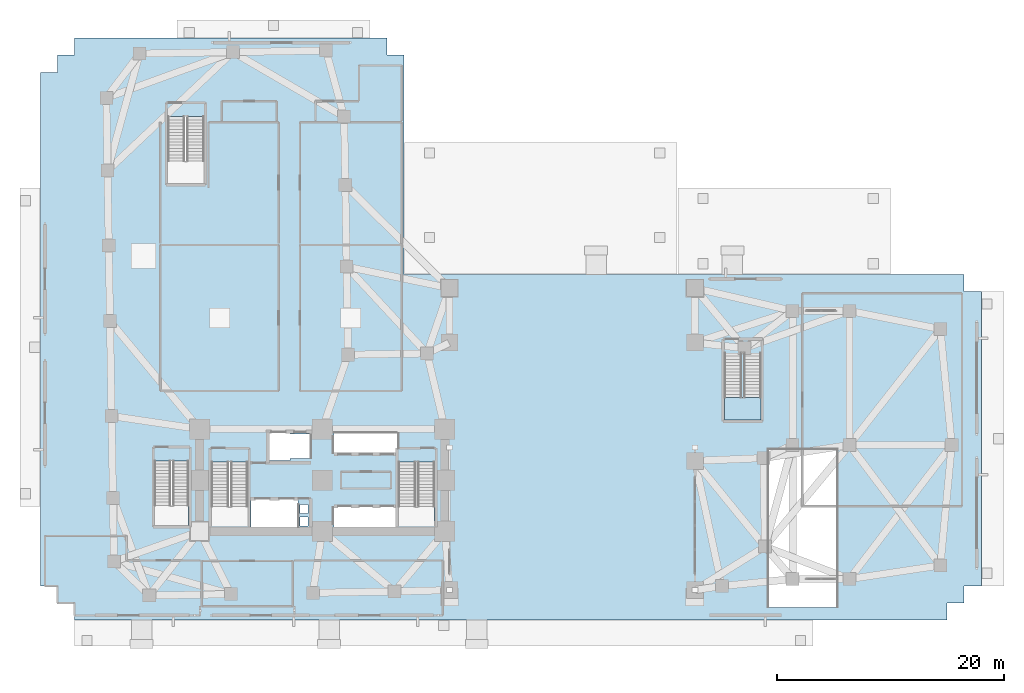
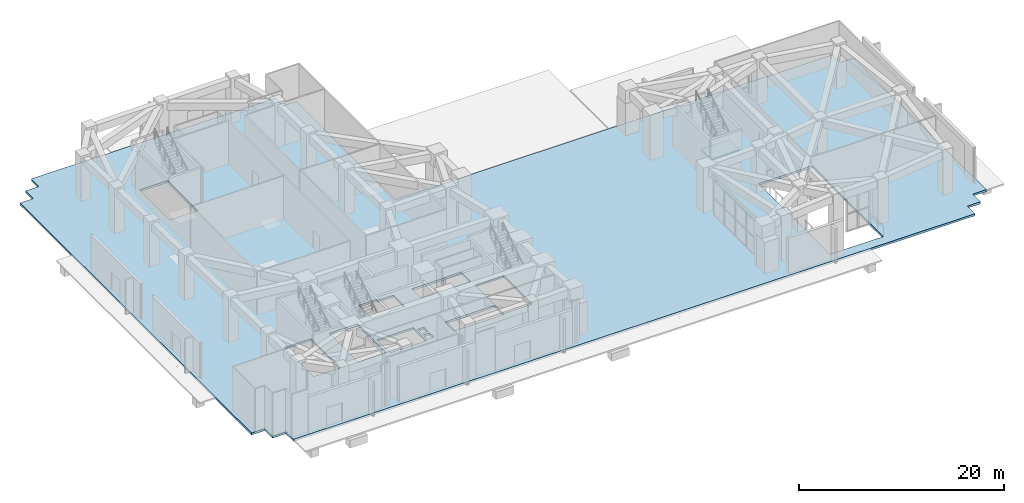
# One storey, part 7 of 19: 2 slabs, 1 element without a shape of its own.
"""IFC4 building model written with IfcOpenShell, lengths in metres."""

from ifc_helpers import new_model, si_unit, direction, frame, origin, place, context, subcontext, project, spatial, polyline, outline, extrude, material, layer, layer_set, type_object, element, aggregate, save


model = new_model("IFC4")

# Units and contexts
model_context = context("Model", 3, precision=1e-05, world=origin(), true_north=direction((0.0, 1.0)))
body_context = subcontext(model_context, "Body", "Model", "MODEL_VIEW")
ifc_project = project(units=[si_unit("LENGTHUNIT", "METRE"), si_unit("AREAUNIT", "SQUARE_METRE"), si_unit("VOLUMEUNIT", "CUBIC_METRE"), si_unit("PLANEANGLEUNIT", "RADIAN"), si_unit("MASSUNIT", "GRAM", prefix="KILO")], contexts=[model_context])

# Site, building, storey
site_placement = place(None, origin())
site = spatial("IfcSite", under=ifc_project, at=site_placement, CompositionType="ELEMENT")
building_placement = place(site_placement, origin())
building = spatial("IfcBuilding", under=site, at=building_placement, Name="Gaonmaruhae Medical Tower", CompositionType="ELEMENT")
storey_placement = place(building_placement, origin())
storey = spatial("IfcBuildingStorey", under=building, at=storey_placement, Name="L00", CompositionType="ELEMENT", Elevation=0.0)

# Slab
ifc_material = material(Name="Concrete C40/50", Category="concrete")
ifc_layer_1 = layer(ifc_material, 0.25)
ifc_layer_set_1 = layer_set([ifc_layer_1], Name="Concrete C40/50")
slab_type_1 = type_object("IfcSlabType", Name="FS-250 Podium & Basement Floor Slab", PredefinedType="FLOOR", material=ifc_layer_set_1)
slab_1_placement = place(storey_placement, frame((0.0, 0.0, -0.25)))
element("IfcSlab", 1, at=slab_1_placement, inside=storey, type_object=slab_type_1, Name="L00 Structural Slab 1", PredefinedType="FLOOR", context=body_context, shape_type="SweptSolid", body=[
    extrude(outline(polyline([(3.0, 0.0), (79.800048828125, 0.0), (79.800048828125, 1.5), (81.300048828125, 1.5), (81.300048828125, 3.0), (82.800048828125, 3.0), (82.800048828125, 28.89990234375), (81.300048828125, 28.89990234375), (81.300048828125, 30.39990234375), (32.0, 30.39990234375), (32.0, 49.699951171875), (30.5, 49.699951171875), (30.5, 51.199951171875), (3.0, 51.199951171875), (3.0, 49.699951171875), (1.5, 49.699951171875), (1.5, 48.199951171875), (0.0, 48.199951171875), (0.0, 3.0), (1.5, 3.0), (1.5, 1.5), (3.0, 1.5), (3.0, 0.0)]), holes=[polyline([(23.550048828125, 8.25), (22.85009765625, 8.25), (22.85009765625, 9.050048828125), (23.550048828125, 9.050048828125), (23.550048828125, 8.25)]), polyline([(22.64990234375, 10.625), (22.64990234375, 8.074951171875), (18.550048828125, 8.074951171875), (18.550048828125, 10.625), (22.64990234375, 10.625)]), polyline([(15.050048828125, 13.889892578125), (18.25, 13.889892578125), (18.25, 8.300048828125), (15.050048828125, 8.300048828125), (15.050048828125, 13.889892578125)]), polyline([(13.050048828125, 13.989990234375), (13.050048828125, 8.300048828125), (10.050048828125, 8.300048828125), (10.050048828125, 13.989990234375), (13.050048828125, 13.989990234375)]), polyline([(21.949951171875, 14.02490234375), (19.949951171875, 14.02490234375), (19.949951171875, 16.574951171875), (21.949951171875, 16.574951171875), (21.949951171875, 16.375), (23.72509765625, 16.375), (23.72509765625, 14.22509765625), (21.949951171875, 14.22509765625), (21.949951171875, 14.02490234375)]), polyline([(11.199951171875, 44.2900390625), (14.39990234375, 44.2900390625), (14.39990234375, 38.39990234375), (11.199951171875, 38.39990234375), (11.199951171875, 44.2900390625)]), polyline([(64.10009765625, 1.110107421875), (64.10009765625, 15.0), (70.10009765625, 15.0), (70.10009765625, 1.110107421875), (64.10009765625, 1.110107421875)]), polyline([(31.425048828125, 9.925048828125), (31.425048828125, 8.175048828125), (25.824951171875, 8.175048828125), (25.824951171875, 9.925048828125), (31.425048828125, 9.925048828125)]), polyline([(23.550048828125, 9.35009765625), (22.85009765625, 9.35009765625), (22.85009765625, 10.14990234375), (23.550048828125, 10.14990234375), (23.550048828125, 9.35009765625)]), polyline([(34.699951171875, 13.889892578125), (34.699951171875, 8.300048828125), (31.5, 8.300048828125), (31.5, 13.889892578125), (34.699951171875, 13.889892578125)]), polyline([(31.425048828125, 16.425048828125), (31.425048828125, 14.675048828125), (25.824951171875, 14.675048828125), (25.824951171875, 16.425048828125), (31.425048828125, 16.425048828125)])]), origin(), (0.0, 0.0, 1.0), 0.25),
])

# Stair, slab
stair_type = type_object("IfcStairType", Name="ST-T3 Podium Escape Dogleg Stair", PredefinedType="TWO_QUARTER_TURN_STAIR", material=ifc_material)
stair_placement = place(storey_placement, origin())
stair = element("IfcStair", 2, at=stair_placement, inside=storey, type_object=stair_type, Name="L00 Protected Escape Stair ST-04", PredefinedType="TWO_QUARTER_TURN_STAIR")
ifc_layer_2 = layer(ifc_material, 0.199951171875)
ifc_layer_set_2 = layer_set([ifc_layer_2], Name="Concrete C40/50")
slab_type_2 = type_object("IfcSlabType", Name="SL-200 Stair & Ramp Intermediate Concrete Landing", PredefinedType="LANDING", material=ifc_layer_set_2)
slab_2_placement = place(storey_placement, frame((0.0, 0.0, 2.5)))
slab_2 = element("IfcSlab", 3, at=slab_2_placement, type_object=slab_type_2, Name="ST-04 landing 1", PredefinedType="LANDING", context=body_context, shape_type="SweptSolid", body=[
    extrude(outline(polyline([(60.199951171875, 19.580078125), (60.199951171875, 17.60009765625), (63.39990234375, 17.60009765625), (63.39990234375, 19.580078125), (60.199951171875, 19.580078125)])), origin(), (0.0, 0.0, 1.0), 0.199951171875),
])
aggregate(stair, [slab_2])

save(model, "model.ifc")
